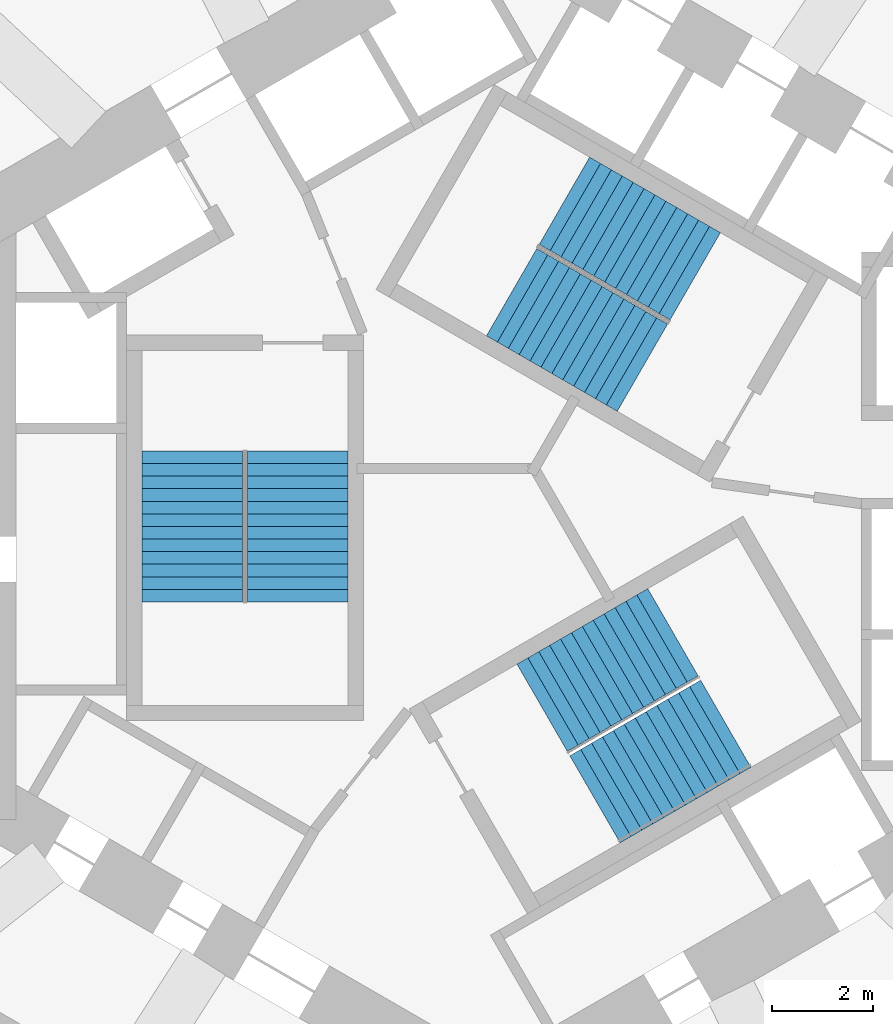
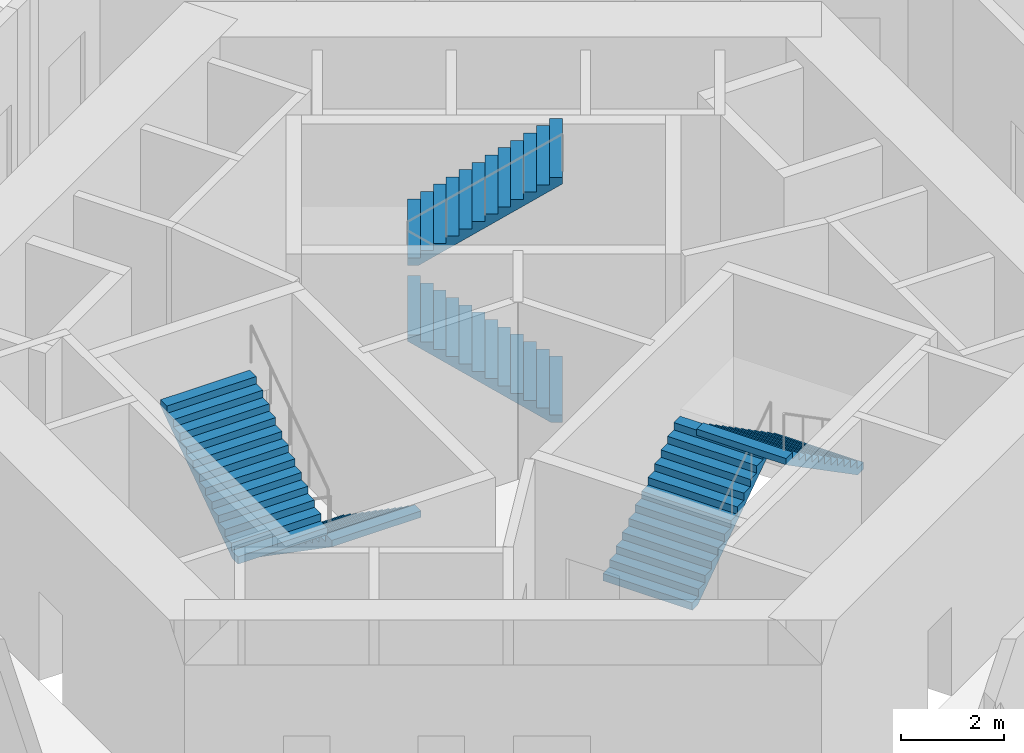
# One storey, part 11 of 20: 6 stair flights, 3 elements without a shape of their own.
"""IFC4 building model written with IfcOpenShell, lengths in metres."""

from ifc_helpers import new_model, si_unit, direction, frame, origin, place, context, subcontext, project, spatial, triangles, source, transform, mapped, material, type_object, element, aggregate, save


model = new_model("IFC4")

# Units and contexts
model_context = context("Model", 3, precision=1e-05, world=origin(), true_north=direction((0.0, 1.0)))
body_context = subcontext(model_context, "Body", "Model", "MODEL_VIEW")
ifc_project = project(units=[si_unit("LENGTHUNIT", "METRE"), si_unit("AREAUNIT", "SQUARE_METRE"), si_unit("VOLUMEUNIT", "CUBIC_METRE"), si_unit("PLANEANGLEUNIT", "RADIAN"), si_unit("MASSUNIT", "GRAM", prefix="KILO")], contexts=[model_context])

# Site, building, storey
site_placement = place(None, origin())
site = spatial("IfcSite", under=ifc_project, at=site_placement, CompositionType="ELEMENT")
building_placement = place(site_placement, origin())
building = spatial("IfcBuilding", under=site, at=building_placement, Name="Vanh Sen Convention Tower", CompositionType="ELEMENT")
storey_placement = place(building_placement, frame((0.0, 0.0, 34.5)))
storey = spatial("IfcBuildingStorey", under=building, at=storey_placement, Name="L05", CompositionType="ELEMENT", Elevation=34.5)

# Stair, stair flights
ifc_material_1 = material(Name="Concrete C50/60", Category="concrete")
stair_type_1 = type_object("IfcStairType", Name="Exit stair ST1 26 risers at 173.1", PredefinedType="HALF_TURN_STAIR", material=ifc_material_1)
stair_1_placement = place(storey_placement, origin())
stair_1 = element("IfcStair", 1, at=stair_1_placement, inside=storey, type_object=stair_type_1, Name="Exit stair ST1 L05", PredefinedType="HALF_TURN_STAIR")
ifc_material_2 = material(Name="Concrete C40/50", Category="concrete")
stair_flight_type = type_object("IfcStairFlightType", Name="Stair flight 2000", PredefinedType="STRAIGHT", material=ifc_material_2)
shared_shape = source(origin(), body_context, "Body", "Tessellation", [
    triangles([(0.219482421875, 1.0, 0.0), (0.0, 1.0, 0.0), (0.0, 1.0, 0.173095703125), (0.25, 1.0, 0.173095703125), (0.25, 1.0, 0.34619140625), (0.5, 1.0, 0.34619140625), (0.5, 1.0, 0.519287109375), (0.75, 1.0, 0.519287109375), (0.75, 1.0, 0.6923828125), (1.0, 1.0, 0.6923828125), (1.0, 1.0, 0.865478515625), (1.25, 1.0, 0.865478515625), (1.25, 1.0, 1.03857421875), (1.5, 1.0, 1.03857421875), (1.5, 1.0, 1.21142578125), (1.75, 1.0, 1.21142578125), (1.75, 1.0, 1.384521484375), (2.0, 1.0, 1.384521484375), (2.0, 1.0, 1.5576171875), (2.25, 1.0, 1.5576171875), (2.25, 1.0, 1.730712890625), (2.5, 1.0, 1.730712890625), (2.5, 1.0, 1.90380859375), (2.75, 1.0, 1.90380859375), (2.75, 1.0, 2.076904296875), (3.0, 1.0, 2.076904296875), (3.0, 1.0, 1.9248046875), (0.219482421875, -1.0, 0.0), (0.0, -1.0, 0.0), (0.0, -1.0, 0.173095703125), (0.25, -1.0, 0.173095703125), (0.25, -1.0, 0.34619140625), (0.5, -1.0, 0.34619140625), (0.5, -1.0, 0.519287109375), (0.75, -1.0, 0.519287109375), (0.75, -1.0, 0.6923828125), (1.0, -1.0, 0.6923828125), (1.0, -1.0, 0.865478515625), (1.25, -1.0, 0.865478515625), (1.25, -1.0, 1.03857421875), (1.5, -1.0, 1.03857421875), (1.5, -1.0, 1.21142578125), (1.75, -1.0, 1.21142578125), (1.75, -1.0, 1.384521484375), (2.0, -1.0, 1.384521484375), (2.0, -1.0, 1.5576171875), (2.25, -1.0, 1.5576171875), (2.25, -1.0, 1.730712890625), (2.5, -1.0, 1.730712890625), (2.5, -1.0, 1.90380859375), (2.75, -1.0, 1.90380859375), (2.75, -1.0, 2.076904296875), (3.0, -1.0, 2.076904296875), (3.0, -1.0, 1.9248046875), (0.0, 0.0400390625, 0.0), (0.0, 0.0390625, 0.0), (0.0, 0.0380859375, 0.0), (0.0, 0.037109375, 0.0), (0.0, 0.035888671875, 0.0), (0.0, 0.034912109375, 0.0), (0.0, 0.033935546875, 0.0), (0.0, 0.032958984375, 0.0), (0.0, 0.031982421875, 0.0), (0.0, 0.031005859375, 0.0), (0.0, 0.030029296875, 0.0), (0.0, 0.029052734375, 0.0), (0.0, 0.028076171875, 0.0), (0.0, 0.027099609375, 0.0), (0.0, 0.02587890625, 0.0), (0.0, 0.02490234375, 0.0), (0.0, 0.02392578125, 0.0), (0.0, 0.02294921875, 0.0), (0.0, 0.02197265625, 0.0), (0.0, 0.02099609375, 0.0), (0.0, 0.02001953125, 0.0), (0.0, 0.01904296875, 0.0), (0.0, 0.01806640625, 0.0), (0.0, 0.01708984375, 0.0), (0.0, 0.01611328125, 0.0), (0.0, 0.014892578125, 0.0), (0.0, 0.013916015625, 0.0), (0.0, 0.012939453125, 0.0), (0.0, 0.011962890625, 0.0), (0.0, 0.010986328125, 0.0), (0.0, 0.010009765625, 0.0), (0.0, 0.009033203125, 0.0), (0.0, 0.008056640625, 0.0), (0.0, 0.007080078125, 0.0), (0.0, 0.006103515625, 0.0), (0.0, 0.0048828125, 0.0), (0.0, 0.00390625, 0.0), (0.0, 0.0029296875, 0.0), (0.0, 0.001953125, 0.0), (0.0, 0.0009765625, 0.0), (0.0, 0.0, 0.0), (0.0, -0.0009765625, 0.0), (0.0, -0.001953125, 0.0), (0.0, -0.0029296875, 0.0), (0.0, -0.00390625, 0.0), (0.0, -0.0048828125, 0.0), (0.0, -0.006103515625, 0.0), (0.0, -0.007080078125, 0.0), (0.0, -0.008056640625, 0.0), (0.0, -0.009033203125, 0.0), (0.0, -0.010009765625, 0.0), (0.0, -0.010986328125, 0.0), (0.0, -0.011962890625, 0.0), (0.0, -0.012939453125, 0.0), (0.0, -0.013916015625, 0.0), (0.0, -0.014892578125, 0.0), (0.0, -0.01611328125, 0.0), (0.0, -0.01708984375, 0.0), (0.0, -0.01806640625, 0.0), (0.0, -0.01904296875, 0.0), (0.0, -0.02001953125, 0.0), (0.0, -0.02099609375, 0.0), (0.0, -0.02197265625, 0.0), (0.0, -0.02294921875, 0.0), (0.0, -0.02392578125, 0.0), (0.0, -0.02490234375, 0.0), (0.0, -0.02587890625, 0.0), (0.0, -0.027099609375, 0.0), (0.0, -0.028076171875, 0.0), (0.0, -0.029052734375, 0.0), (0.0, -0.030029296875, 0.0), (0.0, -0.031005859375, 0.0), (0.0, -0.031982421875, 0.0), (0.0, -0.032958984375, 0.0), (0.0, -0.033935546875, 0.0), (0.0, -0.034912109375, 0.0), (0.0, -0.035888671875, 0.0), (0.0, -0.037109375, 0.0), (0.0, -0.0380859375, 0.0), (0.0, -0.0390625, 0.0), (0.0, -0.0400390625, 0.0), (0.0, 0.0400390625, 0.173095703125), (0.0, 0.0390625, 0.173095703125), (0.0, 0.0380859375, 0.173095703125), (0.0, 0.037109375, 0.173095703125), (0.0, 0.035888671875, 0.173095703125), (0.0, 0.034912109375, 0.173095703125), (0.0, 0.033935546875, 0.173095703125), (0.0, 0.032958984375, 0.173095703125), (0.0, 0.031982421875, 0.173095703125), (0.0, 0.031005859375, 0.173095703125), (0.0, 0.030029296875, 0.173095703125), (0.0, 0.029052734375, 0.173095703125), (0.0, 0.028076171875, 0.173095703125), (0.0, 0.027099609375, 0.173095703125), (0.0, 0.02587890625, 0.173095703125), (0.0, 0.02490234375, 0.173095703125), (0.0, 0.02392578125, 0.173095703125), (0.0, 0.02294921875, 0.173095703125), (0.0, 0.02197265625, 0.173095703125), (0.0, 0.02099609375, 0.173095703125), (0.0, 0.02001953125, 0.173095703125), (0.0, 0.01904296875, 0.173095703125), (0.0, 0.01806640625, 0.173095703125), (0.0, 0.01708984375, 0.173095703125), (0.0, 0.01611328125, 0.173095703125), (0.0, 0.014892578125, 0.173095703125), (0.0, 0.013916015625, 0.173095703125), (0.0, 0.012939453125, 0.173095703125), (0.0, 0.011962890625, 0.173095703125), (0.0, 0.010986328125, 0.173095703125), (0.0, 0.010009765625, 0.173095703125), (0.0, 0.009033203125, 0.173095703125), (0.0, 0.008056640625, 0.173095703125), (0.0, 0.007080078125, 0.173095703125), (0.0, 0.006103515625, 0.173095703125), (0.0, 0.0048828125, 0.173095703125), (0.0, 0.00390625, 0.173095703125), (0.0, 0.0029296875, 0.173095703125), (0.0, 0.001953125, 0.173095703125), (0.0, 0.0009765625, 0.173095703125), (0.0, 0.0, 0.173095703125), (0.0, -0.0009765625, 0.173095703125), (0.0, -0.001953125, 0.173095703125), (0.0, -0.0029296875, 0.173095703125), (0.0, -0.00390625, 0.173095703125), (0.0, -0.0048828125, 0.173095703125), (0.0, -0.006103515625, 0.173095703125), (0.0, -0.007080078125, 0.173095703125), (0.0, -0.008056640625, 0.173095703125), (0.0, -0.009033203125, 0.173095703125), (0.0, -0.010009765625, 0.173095703125), (0.0, -0.010986328125, 0.173095703125), (0.0, -0.011962890625, 0.173095703125), (0.0, -0.012939453125, 0.173095703125), (0.0, -0.013916015625, 0.173095703125), (0.0, -0.014892578125, 0.173095703125), (0.0, -0.01611328125, 0.173095703125), (0.0, -0.01708984375, 0.173095703125), (0.0, -0.01806640625, 0.173095703125), (0.0, -0.01904296875, 0.173095703125), (0.0, -0.02001953125, 0.173095703125), (0.0, -0.02099609375, 0.173095703125), (0.0, -0.02197265625, 0.173095703125), (0.0, -0.02294921875, 0.173095703125), (0.0, -0.02392578125, 0.173095703125), (0.0, -0.02490234375, 0.173095703125), (0.0, -0.02587890625, 0.173095703125), (0.0, -0.027099609375, 0.173095703125), (0.0, -0.028076171875, 0.173095703125), (0.0, -0.029052734375, 0.173095703125), (0.0, -0.030029296875, 0.173095703125), (0.0, -0.031005859375, 0.173095703125), (0.0, -0.031982421875, 0.173095703125), (0.0, -0.032958984375, 0.173095703125), (0.0, -0.033935546875, 0.173095703125), (0.0, -0.034912109375, 0.173095703125), (0.0, -0.035888671875, 0.173095703125), (0.0, -0.037109375, 0.173095703125), (0.0, -0.0380859375, 0.173095703125), (0.0, -0.0390625, 0.173095703125), (0.0, -0.0400390625, 0.173095703125), (0.25, 0.0, 0.173095703125), (0.25, 0.0, 0.34619140625), (0.5, 0.0, 0.34619140625), (0.5, 0.0, 0.519287109375), (0.75, 0.0, 0.519287109375), (0.75, 0.0, 0.6923828125), (1.0, 0.0, 0.6923828125), (1.0, 0.0, 0.865478515625), (1.25, 0.0, 0.865478515625), (1.25, 0.0, 1.03857421875), (1.5, 0.0, 1.03857421875), (1.5, 0.0, 1.21142578125), (1.75, 0.0, 1.21142578125), (1.75, 0.0, 1.384521484375), (2.0, 0.0, 1.384521484375), (2.0, 0.0, 1.5576171875), (2.25, 0.0, 1.5576171875), (2.25, 0.0, 1.730712890625), (2.5, 0.0, 1.730712890625), (2.5, 0.0, 1.90380859375), (2.75, 0.0, 1.90380859375), (2.75, 0.0, 2.076904296875), (3.0, 0.0400390625, 2.076904296875), (3.0, 0.0390625, 2.076904296875), (3.0, 0.0380859375, 2.076904296875), (3.0, 0.037109375, 2.076904296875), (3.0, 0.035888671875, 2.076904296875), (3.0, 0.034912109375, 2.076904296875), (3.0, 0.033935546875, 2.076904296875), (3.0, 0.032958984375, 2.076904296875), (3.0, 0.031982421875, 2.076904296875), (3.0, 0.031005859375, 2.076904296875), (3.0, 0.030029296875, 2.076904296875), (3.0, 0.029052734375, 2.076904296875), (3.0, 0.028076171875, 2.076904296875), (3.0, 0.027099609375, 2.076904296875), (3.0, 0.02587890625, 2.076904296875), (3.0, 0.02490234375, 2.076904296875), (3.0, 0.02392578125, 2.076904296875), (3.0, 0.02294921875, 2.076904296875), (3.0, 0.02197265625, 2.076904296875), (3.0, 0.02099609375, 2.076904296875), (3.0, 0.02001953125, 2.076904296875), (3.0, 0.01904296875, 2.076904296875), (3.0, 0.01806640625, 2.076904296875), (3.0, 0.01708984375, 2.076904296875), (3.0, 0.01611328125, 2.076904296875), (3.0, 0.014892578125, 2.076904296875), (3.0, 0.013916015625, 2.076904296875), (3.0, 0.012939453125, 2.076904296875), (3.0, 0.011962890625, 2.076904296875), (3.0, 0.010986328125, 2.076904296875), (3.0, 0.010009765625, 2.076904296875), (3.0, 0.009033203125, 2.076904296875), (3.0, 0.008056640625, 2.076904296875), (3.0, 0.007080078125, 2.076904296875), (3.0, 0.006103515625, 2.076904296875), (3.0, 0.0048828125, 2.076904296875), (3.0, 0.00390625, 2.076904296875), (3.0, 0.0029296875, 2.076904296875), (3.0, 0.001953125, 2.076904296875), (3.0, 0.0009765625, 2.076904296875), (3.0, 0.0, 2.076904296875), (3.0, -0.0009765625, 2.076904296875), (3.0, -0.001953125, 2.076904296875), (3.0, -0.0029296875, 2.076904296875), (3.0, -0.00390625, 2.076904296875), (3.0, -0.0048828125, 2.076904296875), (3.0, -0.006103515625, 2.076904296875), (3.0, -0.007080078125, 2.076904296875), (3.0, -0.008056640625, 2.076904296875), (3.0, -0.009033203125, 2.076904296875), (3.0, -0.010009765625, 2.076904296875), (3.0, -0.010986328125, 2.076904296875), (3.0, -0.011962890625, 2.076904296875), (3.0, -0.012939453125, 2.076904296875), (3.0, -0.013916015625, 2.076904296875), (3.0, -0.014892578125, 2.076904296875), (3.0, -0.01611328125, 2.076904296875), (3.0, -0.01708984375, 2.076904296875), (3.0, -0.01806640625, 2.076904296875), (3.0, -0.01904296875, 2.076904296875), (3.0, -0.02001953125, 2.076904296875), (3.0, -0.02099609375, 2.076904296875), (3.0, -0.02197265625, 2.076904296875), (3.0, -0.02294921875, 2.076904296875), (3.0, -0.02392578125, 2.076904296875), (3.0, -0.02490234375, 2.076904296875), (3.0, -0.02587890625, 2.076904296875), (3.0, -0.027099609375, 2.076904296875), (3.0, -0.028076171875, 2.076904296875), (3.0, -0.029052734375, 2.076904296875), (3.0, -0.030029296875, 2.076904296875), (3.0, -0.031005859375, 2.076904296875), (3.0, -0.031982421875, 2.076904296875), (3.0, -0.032958984375, 2.076904296875), (3.0, -0.033935546875, 2.076904296875), (3.0, -0.034912109375, 2.076904296875), (3.0, -0.035888671875, 2.076904296875), (3.0, -0.037109375, 2.076904296875), (3.0, -0.0380859375, 2.076904296875), (3.0, -0.0390625, 2.076904296875), (3.0, -0.0400390625, 2.076904296875), (3.0, 0.0400390625, 1.9248046875), (3.0, 0.0390625, 1.9248046875), (3.0, 0.0380859375, 1.9248046875), (3.0, 0.037109375, 1.9248046875), (3.0, 0.035888671875, 1.9248046875), (3.0, 0.034912109375, 1.9248046875), (3.0, 0.033935546875, 1.9248046875), (3.0, 0.032958984375, 1.9248046875), (3.0, 0.031982421875, 1.9248046875), (3.0, 0.031005859375, 1.9248046875), (3.0, 0.030029296875, 1.9248046875), (3.0, 0.029052734375, 1.9248046875), (3.0, 0.028076171875, 1.9248046875), (3.0, 0.027099609375, 1.9248046875), (3.0, 0.02587890625, 1.9248046875), (3.0, 0.02490234375, 1.9248046875), (3.0, 0.02392578125, 1.9248046875), (3.0, 0.02294921875, 1.9248046875), (3.0, 0.02197265625, 1.9248046875), (3.0, 0.02099609375, 1.9248046875), (3.0, 0.02001953125, 1.9248046875), (3.0, 0.01904296875, 1.9248046875), (3.0, 0.01806640625, 1.9248046875), (3.0, 0.01708984375, 1.9248046875), (3.0, 0.01611328125, 1.9248046875), (3.0, 0.014892578125, 1.9248046875), (3.0, 0.013916015625, 1.9248046875), (3.0, 0.012939453125, 1.9248046875), (3.0, 0.011962890625, 1.9248046875), (3.0, 0.010986328125, 1.9248046875), (3.0, 0.010009765625, 1.9248046875), (3.0, 0.009033203125, 1.9248046875), (3.0, 0.008056640625, 1.9248046875), (3.0, 0.007080078125, 1.9248046875), (3.0, 0.006103515625, 1.9248046875), (3.0, 0.0048828125, 1.9248046875), (3.0, 0.00390625, 1.9248046875), (3.0, 0.0029296875, 1.9248046875), (3.0, 0.001953125, 1.9248046875), (3.0, 0.0009765625, 1.9248046875), (3.0, 0.0, 1.9248046875), (3.0, -0.0009765625, 1.9248046875), (3.0, -0.001953125, 1.9248046875), (3.0, -0.0029296875, 1.9248046875), (3.0, -0.00390625, 1.9248046875), (3.0, -0.0048828125, 1.9248046875), (3.0, -0.006103515625, 1.9248046875), (3.0, -0.007080078125, 1.9248046875), (3.0, -0.008056640625, 1.9248046875), (3.0, -0.009033203125, 1.9248046875), (3.0, -0.010009765625, 1.9248046875), (3.0, -0.010986328125, 1.9248046875), (3.0, -0.011962890625, 1.9248046875), (3.0, -0.012939453125, 1.9248046875), (3.0, -0.013916015625, 1.9248046875), (3.0, -0.014892578125, 1.9248046875), (3.0, -0.01611328125, 1.9248046875), (3.0, -0.01708984375, 1.9248046875), (3.0, -0.01806640625, 1.9248046875), (3.0, -0.01904296875, 1.9248046875), (3.0, -0.02001953125, 1.9248046875), (3.0, -0.02099609375, 1.9248046875), (3.0, -0.02197265625, 1.9248046875), (3.0, -0.02294921875, 1.9248046875), (3.0, -0.02392578125, 1.9248046875), (3.0, -0.02490234375, 1.9248046875), (3.0, -0.02587890625, 1.9248046875), (3.0, -0.027099609375, 1.9248046875), (3.0, -0.028076171875, 1.9248046875), (3.0, -0.029052734375, 1.9248046875), (3.0, -0.030029296875, 1.9248046875), (3.0, -0.031005859375, 1.9248046875), (3.0, -0.031982421875, 1.9248046875), (3.0, -0.032958984375, 1.9248046875), (3.0, -0.033935546875, 1.9248046875), (3.0, -0.034912109375, 1.9248046875), (3.0, -0.035888671875, 1.9248046875), (3.0, -0.037109375, 1.9248046875), (3.0, -0.0380859375, 1.9248046875), (3.0, -0.0390625, 1.9248046875), (3.0, -0.0400390625, 1.9248046875), (0.219482421875, 0.0, 0.0)], [[1, 2, 3], [1, 3, 4], [4, 5, 6], [1, 4, 6], [6, 7, 8], [1, 6, 8], [8, 9, 10], [1, 8, 10], [10, 11, 12], [1, 10, 12], [12, 13, 14], [1, 12, 14], [14, 15, 16], [1, 14, 16], [16, 17, 18], [1, 16, 18], [18, 19, 20], [1, 18, 20], [20, 21, 22], [1, 20, 22], [22, 23, 24], [1, 22, 24], [24, 25, 26], [1, 24, 26], [26, 27, 1], [28, 30, 29], [28, 31, 30], [31, 33, 32], [28, 33, 31], [33, 35, 34], [28, 35, 33], [35, 37, 36], [28, 37, 35], [37, 39, 38], [28, 39, 37], [39, 41, 40], [28, 41, 39], [41, 43, 42], [28, 43, 41], [43, 45, 44], [28, 45, 43], [45, 47, 46], [28, 47, 45], [47, 49, 48], [28, 49, 47], [49, 51, 50], [28, 51, 49], [51, 53, 52], [28, 53, 51], [53, 28, 54], [2, 136, 3], [2, 55, 136], [55, 137, 136], [55, 56, 137], [56, 138, 137], [56, 57, 138], [57, 139, 138], [57, 58, 139], [58, 140, 139], [58, 59, 140], [59, 141, 140], [59, 60, 141], [60, 142, 141], [60, 61, 142], [61, 143, 142], [61, 62, 143], [62, 144, 143], [62, 63, 144], [63, 145, 144], [63, 64, 145], [64, 146, 145], [64, 65, 146], [65, 147, 146], [65, 66, 147], [66, 148, 147], [66, 67, 148], [67, 149, 148], [67, 68, 149], [68, 150, 149], [68, 69, 150], [69, 151, 150], [69, 70, 151], [70, 152, 151], [70, 71, 152], [71, 153, 152], [71, 72, 153], [72, 154, 153], [72, 73, 154], [73, 155, 154], [73, 74, 155], [74, 156, 155], [74, 75, 156], [75, 157, 156], [75, 76, 157], [76, 158, 157], [76, 77, 158], [77, 159, 158], [77, 78, 159], [78, 160, 159], [78, 79, 160], [79, 161, 160], [79, 80, 161], [80, 162, 161], [80, 81, 162], [81, 163, 162], [81, 82, 163], [82, 164, 163], [82, 83, 164], [83, 165, 164], [83, 84, 165], [84, 166, 165], [84, 85, 166], [85, 167, 166], [85, 86, 167], [86, 168, 167], [86, 87, 168], [87, 169, 168], [87, 88, 169], [88, 170, 169], [88, 89, 170], [89, 171, 170], [89, 90, 171], [90, 172, 171], [90, 91, 172], [91, 173, 172], [91, 92, 173], [92, 174, 173], [92, 93, 174], [93, 175, 174], [93, 94, 175], [94, 176, 175], [94, 95, 176], [95, 96, 176], [176, 96, 177], [96, 97, 177], [177, 97, 178], [97, 98, 178], [178, 98, 179], [98, 99, 179], [179, 99, 180], [99, 100, 180], [180, 100, 181], [100, 101, 181], [181, 101, 182], [101, 102, 182], [182, 102, 183], [102, 103, 183], [183, 103, 184], [103, 104, 184], [184, 104, 185], [104, 105, 185], [185, 105, 186], [105, 106, 186], [186, 106, 187], [106, 107, 187], [187, 107, 188], [107, 108, 188], [188, 108, 189], [108, 109, 189], [189, 109, 190], [109, 110, 190], [190, 110, 191], [110, 111, 191], [191, 111, 192], [111, 112, 192], [192, 112, 193], [112, 113, 193], [193, 113, 194], [113, 114, 194], [194, 114, 195], [114, 115, 195], [195, 115, 196], [115, 116, 196], [196, 116, 197], [116, 117, 197], [197, 117, 198], [117, 118, 198], [198, 118, 199], [118, 119, 199], [199, 119, 200], [119, 120, 200], [200, 120, 201], [120, 121, 201], [201, 121, 202], [121, 122, 202], [202, 122, 203], [122, 123, 203], [203, 123, 204], [123, 124, 204], [204, 124, 205], [124, 125, 205], [205, 125, 206], [125, 126, 206], [206, 126, 207], [126, 127, 207], [207, 127, 208], [127, 128, 208], [208, 128, 209], [128, 129, 209], [209, 129, 210], [129, 130, 210], [210, 130, 211], [130, 131, 211], [211, 131, 212], [131, 132, 212], [212, 132, 213], [132, 133, 213], [213, 133, 214], [133, 134, 214], [214, 134, 215], [134, 135, 215], [215, 135, 216], [135, 29, 216], [216, 29, 30], [4, 3, 136], [4, 136, 137], [4, 137, 138], [4, 138, 139], [4, 139, 140], [4, 140, 141], [4, 141, 142], [4, 142, 143], [4, 143, 144], [4, 144, 145], [4, 145, 146], [4, 146, 147], [4, 147, 148], [4, 148, 149], [4, 149, 150], [4, 150, 151], [4, 151, 152], [4, 152, 153], [4, 153, 154], [4, 154, 155], [4, 155, 156], [4, 156, 157], [4, 157, 158], [4, 158, 159], [4, 159, 160], [4, 160, 161], [4, 161, 162], [4, 162, 163], [4, 163, 164], [4, 164, 165], [4, 165, 166], [4, 166, 167], [4, 167, 168], [4, 168, 169], [4, 169, 170], [4, 170, 171], [4, 171, 172], [4, 172, 173], [4, 173, 174], [4, 174, 175], [4, 175, 176], [31, 176, 177], [31, 177, 178], [31, 178, 179], [31, 179, 180], [31, 180, 181], [31, 181, 182], [31, 182, 183], [31, 183, 184], [31, 184, 185], [31, 185, 186], [31, 186, 187], [31, 187, 188], [31, 188, 189], [31, 189, 190], [31, 190, 191], [31, 191, 192], [31, 192, 193], [31, 193, 194], [31, 194, 195], [31, 195, 196], [31, 196, 197], [31, 197, 198], [31, 198, 199], [31, 199, 200], [31, 200, 201], [31, 201, 202], [31, 202, 203], [31, 203, 204], [31, 204, 205], [31, 205, 206], [31, 206, 207], [31, 207, 208], [31, 208, 209], [31, 209, 210], [31, 210, 211], [31, 211, 212], [31, 212, 213], [31, 213, 214], [31, 214, 215], [31, 215, 216], [31, 216, 30], [4, 176, 217], [31, 217, 176], [4, 218, 5], [4, 217, 218], [217, 31, 218], [218, 31, 32], [5, 219, 6], [5, 218, 219], [218, 32, 219], [219, 32, 33], [6, 220, 7], [6, 219, 220], [219, 33, 220], [220, 33, 34], [7, 221, 8], [7, 220, 221], [220, 34, 221], [221, 34, 35], [8, 222, 9], [8, 221, 222], [221, 35, 222], [222, 35, 36], [9, 223, 10], [9, 222, 223], [222, 36, 223], [223, 36, 37], [10, 224, 11], [10, 223, 224], [223, 37, 224], [224, 37, 38], [11, 225, 12], [11, 224, 225], [224, 38, 225], [225, 38, 39], [12, 226, 13], [12, 225, 226], [225, 39, 226], [226, 39, 40], [13, 227, 14], [13, 226, 227], [226, 40, 227], [227, 40, 41], [14, 228, 15], [14, 227, 228], [227, 41, 228], [228, 41, 42], [15, 229, 16], [15, 228, 229], [228, 42, 229], [229, 42, 43], [16, 230, 17], [16, 229, 230], [229, 43, 230], [230, 43, 44], [17, 231, 18], [17, 230, 231], [230, 44, 231], [231, 44, 45], [18, 232, 19], [18, 231, 232], [231, 45, 232], [232, 45, 46], [19, 233, 20], [19, 232, 233], [232, 46, 233], [233, 46, 47], [20, 234, 21], [20, 233, 234], [233, 47, 234], [234, 47, 48], [21, 235, 22], [21, 234, 235], [234, 48, 235], [235, 48, 49], [22, 236, 23], [22, 235, 236], [235, 49, 236], [236, 49, 50], [23, 237, 24], [23, 236, 237], [236, 50, 237], [237, 50, 51], [24, 238, 25], [24, 237, 238], [237, 51, 238], [238, 51, 52], [25, 239, 26], [25, 240, 239], [25, 241, 240], [25, 242, 241], [25, 243, 242], [25, 244, 243], [25, 245, 244], [25, 246, 245], [25, 247, 246], [25, 248, 247], [25, 249, 248], [25, 250, 249], [25, 251, 250], [25, 252, 251], [25, 253, 252], [25, 254, 253], [25, 255, 254], [25, 256, 255], [25, 257, 256], [25, 258, 257], [25, 259, 258], [25, 260, 259], [25, 261, 260], [25, 262, 261], [25, 263, 262], [25, 264, 263], [25, 265, 264], [25, 266, 265], [25, 267, 266], [25, 268, 267], [25, 269, 268], [25, 270, 269], [25, 271, 270], [25, 272, 271], [25, 273, 272], [25, 274, 273], [25, 275, 274], [25, 276, 275], [25, 277, 276], [25, 278, 277], [25, 279, 278], [52, 280, 279], [52, 281, 280], [52, 282, 281], [52, 283, 282], [52, 284, 283], [52, 285, 284], [52, 286, 285], [52, 287, 286], [52, 288, 287], [52, 289, 288], [52, 290, 289], [52, 291, 290], [52, 292, 291], [52, 293, 292], [52, 294, 293], [52, 295, 294], [52, 296, 295], [52, 297, 296], [52, 298, 297], [52, 299, 298], [52, 300, 299], [52, 301, 300], [52, 302, 301], [52, 303, 302], [52, 304, 303], [52, 305, 304], [52, 306, 305], [52, 307, 306], [52, 308, 307], [52, 309, 308], [52, 310, 309], [52, 311, 310], [52, 312, 311], [52, 313, 312], [52, 314, 313], [52, 315, 314], [52, 316, 315], [52, 317, 316], [52, 318, 317], [52, 319, 318], [52, 53, 319], [25, 238, 279], [52, 279, 238], [26, 320, 27], [26, 239, 320], [239, 321, 320], [239, 240, 321], [240, 322, 321], [240, 241, 322], [241, 323, 322], [241, 242, 323], [242, 324, 323], [242, 243, 324], [243, 325, 324], [243, 244, 325], [244, 326, 325], [244, 245, 326], [245, 327, 326], [245, 246, 327], [246, 328, 327], [246, 247, 328], [247, 329, 328], [247, 248, 329], [248, 330, 329], [248, 249, 330], [249, 331, 330], [249, 250, 331], [250, 332, 331], [250, 251, 332], [251, 333, 332], [251, 252, 333], [252, 334, 333], [252, 253, 334], [253, 335, 334], [253, 254, 335], [254, 336, 335], [254, 255, 336], [255, 337, 336], [255, 256, 337], [256, 338, 337], [256, 257, 338], [257, 339, 338], [257, 258, 339], [258, 340, 339], [258, 259, 340], [259, 341, 340], [259, 260, 341], [260, 342, 341], [260, 261, 342], [261, 343, 342], [261, 262, 343], [262, 344, 343], [262, 263, 344], [263, 345, 344], [263, 264, 345], [264, 346, 345], [264, 265, 346], [265, 347, 346], [265, 266, 347], [266, 348, 347], [266, 267, 348], [267, 349, 348], [267, 268, 349], [268, 350, 349], [268, 269, 350], [269, 351, 350], [269, 270, 351], [270, 352, 351], [270, 271, 352], [271, 353, 352], [271, 272, 353], [272, 354, 353], [272, 273, 354], [273, 355, 354], [273, 274, 355], [274, 356, 355], [274, 275, 356], [275, 357, 356], [275, 276, 357], [276, 358, 357], [276, 277, 358], [277, 359, 358], [277, 278, 359], [278, 360, 359], [278, 279, 360], [279, 280, 360], [360, 280, 361], [280, 281, 361], [361, 281, 362], [281, 282, 362], [362, 282, 363], [282, 283, 363], [363, 283, 364], [283, 284, 364], [364, 284, 365], [284, 285, 365], [365, 285, 366], [285, 286, 366], [366, 286, 367], [286, 287, 367], [367, 287, 368], [287, 288, 368], [368, 288, 369], [288, 289, 369], [369, 289, 370], [289, 290, 370], [370, 290, 371], [290, 291, 371], [371, 291, 372], [291, 292, 372], [372, 292, 373], [292, 293, 373], [373, 293, 374], [293, 294, 374], [374, 294, 375], [294, 295, 375], [375, 295, 376], [295, 296, 376], [376, 296, 377], [296, 297, 377], [377, 297, 378], [297, 298, 378], [378, 298, 379], [298, 299, 379], [379, 299, 380], [299, 300, 380], [380, 300, 381], [300, 301, 381], [381, 301, 382], [301, 302, 382], [382, 302, 383], [302, 303, 383], [383, 303, 384], [303, 304, 384], [384, 304, 385], [304, 305, 385], [385, 305, 386], [305, 306, 386], [386, 306, 387], [306, 307, 387], [387, 307, 388], [307, 308, 388], [388, 308, 389], [308, 309, 389], [389, 309, 390], [309, 310, 390], [390, 310, 391], [310, 311, 391], [391, 311, 392], [311, 312, 392], [392, 312, 393], [312, 313, 393], [393, 313, 394], [313, 314, 394], [394, 314, 395], [314, 315, 395], [395, 315, 396], [315, 316, 396], [396, 316, 397], [316, 317, 397], [397, 317, 398], [317, 318, 398], [398, 318, 399], [318, 319, 399], [399, 319, 400], [319, 53, 400], [400, 53, 54], [1, 27, 320], [1, 320, 321], [1, 321, 322], [1, 322, 323], [1, 323, 324], [1, 324, 325], [1, 325, 326], [1, 326, 327], [1, 327, 328], [1, 328, 329], [1, 329, 330], [1, 330, 331], [1, 331, 332], [1, 332, 333], [1, 333, 334], [1, 334, 335], [1, 335, 336], [1, 336, 337], [1, 337, 338], [1, 338, 339], [1, 339, 340], [1, 340, 341], [1, 341, 342], [1, 342, 343], [1, 343, 344], [1, 344, 345], [1, 345, 346], [1, 346, 347], [1, 347, 348], [1, 348, 349], [1, 349, 350], [1, 350, 351], [1, 351, 352], [1, 352, 353], [1, 353, 354], [1, 354, 355], [1, 355, 356], [1, 356, 357], [1, 357, 358], [1, 358, 359], [1, 359, 360], [28, 360, 361], [28, 361, 362], [28, 362, 363], [28, 363, 364], [28, 364, 365], [28, 365, 366], [28, 366, 367], [28, 367, 368], [28, 368, 369], [28, 369, 370], [28, 370, 371], [28, 371, 372], [28, 372, 373], [28, 373, 374], [28, 374, 375], [28, 375, 376], [28, 376, 377], [28, 377, 378], [28, 378, 379], [28, 379, 380], [28, 380, 381], [28, 381, 382], [28, 382, 383], [28, 383, 384], [28, 384, 385], [28, 385, 386], [28, 386, 387], [28, 387, 388], [28, 388, 389], [28, 389, 390], [28, 390, 391], [28, 391, 392], [28, 392, 393], [28, 393, 394], [28, 394, 395], [28, 395, 396], [28, 396, 397], [28, 397, 398], [28, 398, 399], [28, 399, 400], [28, 400, 54], [1, 360, 401], [28, 401, 360], [1, 55, 2], [1, 56, 55], [1, 57, 56], [1, 58, 57], [1, 59, 58], [1, 60, 59], [1, 61, 60], [1, 62, 61], [1, 63, 62], [1, 64, 63], [1, 65, 64], [1, 66, 65], [1, 67, 66], [1, 68, 67], [1, 69, 68], [1, 70, 69], [1, 71, 70], [1, 72, 71], [1, 73, 72], [1, 74, 73], [1, 75, 74], [1, 76, 75], [1, 77, 76], [1, 78, 77], [1, 79, 78], [1, 80, 79], [1, 81, 80], [1, 82, 81], [1, 83, 82], [1, 84, 83], [1, 85, 84], [1, 86, 85], [1, 87, 86], [1, 88, 87], [1, 89, 88], [1, 90, 89], [1, 91, 90], [1, 92, 91], [1, 93, 92], [1, 94, 93], [1, 95, 94], [28, 96, 95], [28, 97, 96], [28, 98, 97], [28, 99, 98], [28, 100, 99], [28, 101, 100], [28, 102, 101], [28, 103, 102], [28, 104, 103], [28, 105, 104], [28, 106, 105], [28, 107, 106], [28, 108, 107], [28, 109, 108], [28, 110, 109], [28, 111, 110], [28, 112, 111], [28, 113, 112], [28, 114, 113], [28, 115, 114], [28, 116, 115], [28, 117, 116], [28, 118, 117], [28, 119, 118], [28, 120, 119], [28, 121, 120], [28, 122, 121], [28, 123, 122], [28, 124, 123], [28, 125, 124], [28, 126, 125], [28, 127, 126], [28, 128, 127], [28, 129, 128], [28, 130, 129], [28, 131, 130], [28, 132, 131], [28, 133, 132], [28, 134, 133], [28, 135, 134], [28, 29, 135], [1, 401, 95], [28, 95, 401]], closed=True),
])
stair_flight_1_placement = place(storey_placement, frame((2.94580078125, 2.802490234375, 0.0), z_axis=(0.0, 0.0, 1.0), x_axis=(-0.866025403784, 0.5, 0.0)))
stair_flight_1 = element("IfcStairFlight", 2, at=stair_flight_1_placement, type_object=stair_flight_type, Name="ST1 flight 1", NumberOfRisers=13, NumberOfTreads=12, PredefinedType="STRAIGHT", RiserHeight=0.173076923, TreadLength=0.25, context=body_context, shape_type="MappedRepresentation", body=[
    mapped(shared_shape, transform((0.0, 0.0, 0.0))),
])
stair_flight_2_placement = place(storey_placement, frame((1.39794921875, 6.12109375, 2.25), z_axis=(0.0, 0.0, 1.0), x_axis=(0.866025403784, -0.5, 0.0)))
stair_flight_2 = element("IfcStairFlight", 3, at=stair_flight_2_placement, type_object=stair_flight_type, Name="ST1 flight 2", NumberOfRisers=13, NumberOfTreads=12, PredefinedType="STRAIGHT", RiserHeight=0.173076923, TreadLength=0.25, context=body_context, shape_type="MappedRepresentation", body=[
    mapped(shared_shape, transform((0.0, 0.0, 0.0))),
])
aggregate(stair_1, [stair_flight_1, stair_flight_2])

stair_type_2 = type_object("IfcStairType", Name="Exit stair ST2 26 risers at 173.1", PredefinedType="HALF_TURN_STAIR", material=ifc_material_1)
stair_2_placement = place(storey_placement, origin())
stair_2 = element("IfcStair", 4, at=stair_2_placement, inside=storey, type_object=stair_type_2, Name="Exit stair ST2 L05", PredefinedType="HALF_TURN_STAIR")
stair_flight_3_placement = place(storey_placement, frame((-3.89990234375, 1.14990234375, 0.0), z_axis=(0.0, 0.0, 1.0), x_axis=(0.0, -1.0, 0.0)))
stair_flight_3 = element("IfcStairFlight", 5, at=stair_flight_3_placement, type_object=stair_flight_type, Name="ST2 flight 1", NumberOfRisers=13, NumberOfTreads=12, PredefinedType="STRAIGHT", RiserHeight=0.173076923, TreadLength=0.25, context=body_context, shape_type="MappedRepresentation", body=[
    mapped(shared_shape, transform((0.0, 0.0, 0.0))),
])
stair_flight_4_placement = place(storey_placement, frame((-6.0, -1.85009765625, 2.25), z_axis=(0.0, 0.0, 1.0), x_axis=(0.0, 1.0, 0.0)))
stair_flight_4 = element("IfcStairFlight", 6, at=stair_flight_4_placement, type_object=stair_flight_type, Name="ST2 flight 2", NumberOfRisers=13, NumberOfTreads=12, PredefinedType="STRAIGHT", RiserHeight=0.173076923, TreadLength=0.25, context=body_context, shape_type="MappedRepresentation", body=[
    mapped(shared_shape, transform((0.0, 0.0, 0.0))),
])
aggregate(stair_2, [stair_flight_3, stair_flight_4])

stair_type_3 = type_object("IfcStairType", Name="Exit stair ST3 26 risers at 173.1", PredefinedType="HALF_TURN_STAIR", material=ifc_material_1)
stair_3_placement = place(storey_placement, origin())
stair_3 = element("IfcStair", 7, at=stair_3_placement, inside=storey, type_object=stair_type_3, Name="Exit stair ST3 L05", PredefinedType="HALF_TURN_STAIR")
stair_flight_5_placement = place(storey_placement, frame((0.9541015625, -3.952392578125, 0.0), z_axis=(0.0, 0.0, 1.0), x_axis=(0.866025403784, 0.5, 0.0)))
stair_flight_5 = element("IfcStairFlight", 8, at=stair_flight_5_placement, type_object=stair_flight_type, Name="ST3 flight 1", NumberOfRisers=13, NumberOfTreads=12, PredefinedType="STRAIGHT", RiserHeight=0.173076923, TreadLength=0.25, context=body_context, shape_type="MappedRepresentation", body=[
    mapped(shared_shape, transform((0.0, 0.0, 0.0))),
])
stair_flight_6_placement = place(storey_placement, frame((4.60205078125, -4.271240234375, 2.25), z_axis=(0.0, 0.0, 1.0), x_axis=(-0.866025403784, -0.5, 0.0)))
stair_flight_6 = element("IfcStairFlight", 9, at=stair_flight_6_placement, type_object=stair_flight_type, Name="ST3 flight 2", NumberOfRisers=13, NumberOfTreads=12, PredefinedType="STRAIGHT", RiserHeight=0.173076923, TreadLength=0.25, context=body_context, shape_type="MappedRepresentation", body=[
    mapped(shared_shape, transform((0.0, 0.0, 0.0))),
])
aggregate(stair_3, [stair_flight_5, stair_flight_6])

save(model, "model.ifc")
